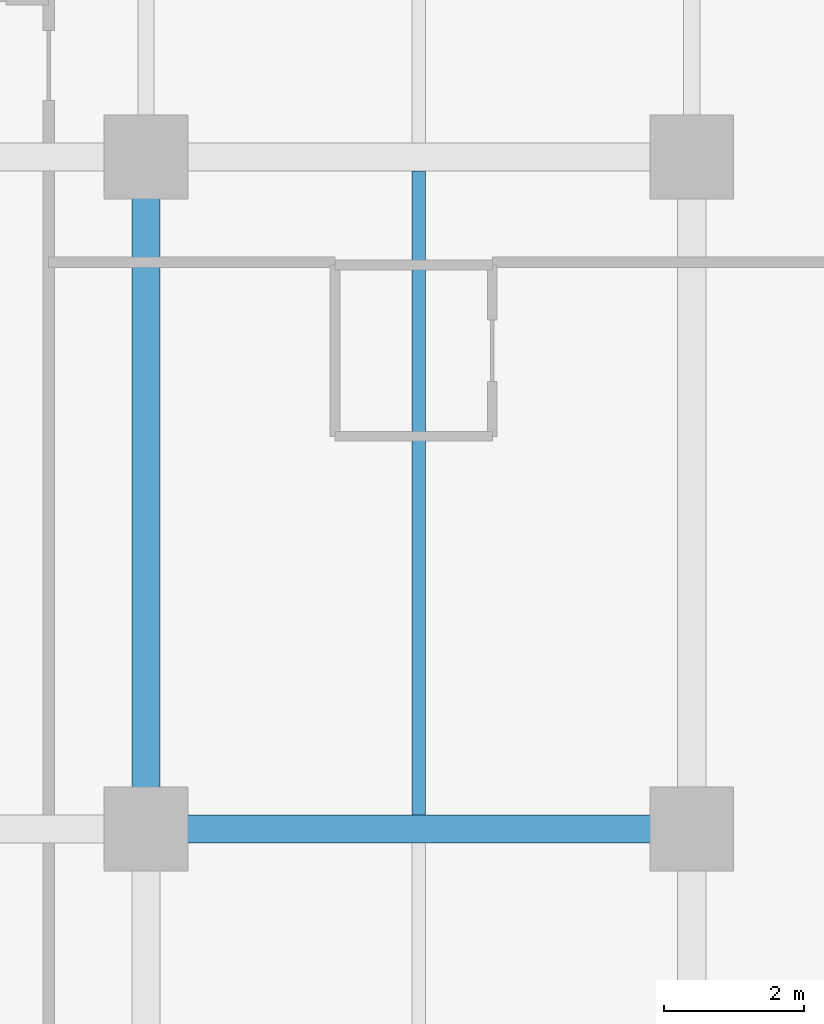
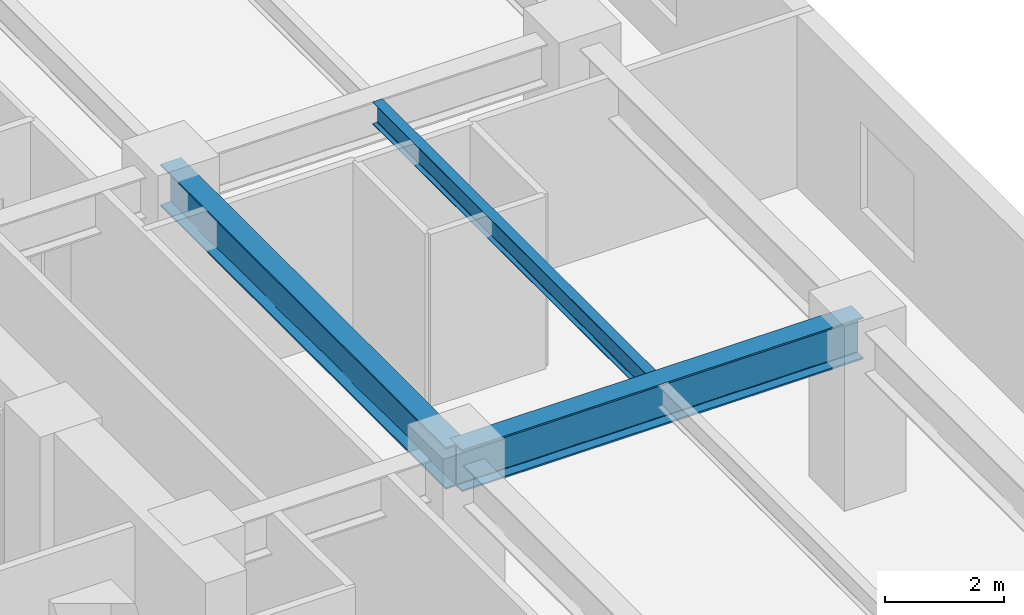
# One storey, part 2 of 12: 3 beams.
"""IFC4 building model written with IfcOpenShell, lengths in metres."""

from ifc_helpers import new_model, si_unit, direction, frame, origin, origin_2d, place, context, subcontext, project, spatial, i_section, extrude, material, material_profile, profile_set, type_object, element, save


model = new_model("IFC4")

# Units and contexts
model_context = context("Model", 3, precision=1e-05, world=origin(), true_north=direction((0.0, 1.0)))
body_context = subcontext(model_context, "Body", "Model", "MODEL_VIEW")
ifc_project = project(units=[si_unit("LENGTHUNIT", "METRE"), si_unit("AREAUNIT", "SQUARE_METRE"), si_unit("VOLUMEUNIT", "CUBIC_METRE"), si_unit("PLANEANGLEUNIT", "RADIAN"), si_unit("MASSUNIT", "GRAM", prefix="KILO")], contexts=[model_context])

# Site, building, storey
site_placement = place(None, origin())
site = spatial("IfcSite", under=ifc_project, at=site_placement, CompositionType="ELEMENT")
building_placement = place(site_placement, origin())
building = spatial("IfcBuilding", under=site, at=building_placement, Name="Kestravale Grand Hotel", CompositionType="ELEMENT")
storey_placement = place(building_placement, frame((0.0, 0.0, 95.60009765625)))
storey = spatial("IfcBuildingStorey", under=building, at=storey_placement, Name="L23", CompositionType="ELEMENT", Elevation=95.60009765625)

# Beams
ifc_material_1 = material(Name="Steel ASTM A992 Grade 50", Category="steel")
ifc_material_profile_1 = material_profile(ifc_material_1, i_section(OverallWidth=0.19091796875, OverallDepth=0.45703125, WebThickness=0.009033203125, FlangeThickness=0.014404296875, FilletRadius=0.015380859375, at=origin_2d()))
ifc_profile_set_1 = profile_set([ifc_material_profile_1], Name="Steel ASTM A992 Grade 50")
beam_type_1 = type_object("IfcBeamType", Name="B-FLR-JST18", PredefinedType="JOIST", material=ifc_profile_set_1)
beam_1_placement = place(storey_placement, frame((66.300048828125, 29.00048828125, 3.3115234375), z_axis=(0.0, 1.0, 0.0), x_axis=(-1.0, 0.0, 0.0)))
element("IfcBeam", 1, at=beam_1_placement, inside=storey, type_object=beam_type_1, Name="L23 floor joist 10-11/E-F #1", PredefinedType="JOIST", context=body_context, shape_type="SweptSolid", body=[
    extrude(i_section(OverallWidth=0.19091796875, OverallDepth=0.45703125, WebThickness=0.009033203125, FlangeThickness=0.014404296875, FilletRadius=0.015380859375, at=origin_2d()), origin(), (0.0, 0.0, 1.0), 9.198974609375),
])
ifc_material_2 = material(Name="Steel ASTM A992 Grade 50", Category="steel")
ifc_material_profile_2 = material_profile(ifc_material_2, i_section(OverallWidth=0.40087890625, OverallDepth=0.861083984375, WebThickness=0.019775390625, FlangeThickness=0.032470703125, FilletRadius=0.0234375, at=origin_2d()))
ifc_profile_set_2 = profile_set([ifc_material_profile_2], Name="Steel ASTM A992 Grade 50")
beam_type_2 = type_object("IfcBeamType", Name="B-GRD-W33", PredefinedType="BEAM", material=ifc_profile_set_2)
beam_2_placement = place(storey_placement, frame((62.39990234375, 28.800048828125, 3.109375), z_axis=(1.0, 0.0, 0.0), x_axis=(0.0, 1.0, 0.0)))
element("IfcBeam", 2, at=beam_2_placement, inside=storey, type_object=beam_type_2, Name="L23 girder E:10-11", PredefinedType="BEAM", context=body_context, shape_type="SweptSolid", body=[
    extrude(i_section(OverallWidth=0.40087890625, OverallDepth=0.861083984375, WebThickness=0.019775390625, FlangeThickness=0.032470703125, FilletRadius=0.0234375, at=origin_2d()), origin(), (0.0, 0.0, 1.0), 7.800048828125),
])
beam_3_placement = place(storey_placement, frame((62.39990234375, 28.800048828125, 3.109375), z_axis=(0.0, 1.0, 0.0), x_axis=(-1.0, 0.0, 0.0)))
element("IfcBeam", 3, at=beam_3_placement, inside=storey, type_object=beam_type_2, Name="L23 girder 10:E-F", PredefinedType="BEAM", context=body_context, shape_type="SweptSolid", body=[
    extrude(i_section(OverallWidth=0.40087890625, OverallDepth=0.861083984375, WebThickness=0.019775390625, FlangeThickness=0.032470703125, FilletRadius=0.0234375, at=origin_2d()), origin(), (0.0, 0.0, 1.0), 9.599853515625),
])

save(model, "model.ifc")
